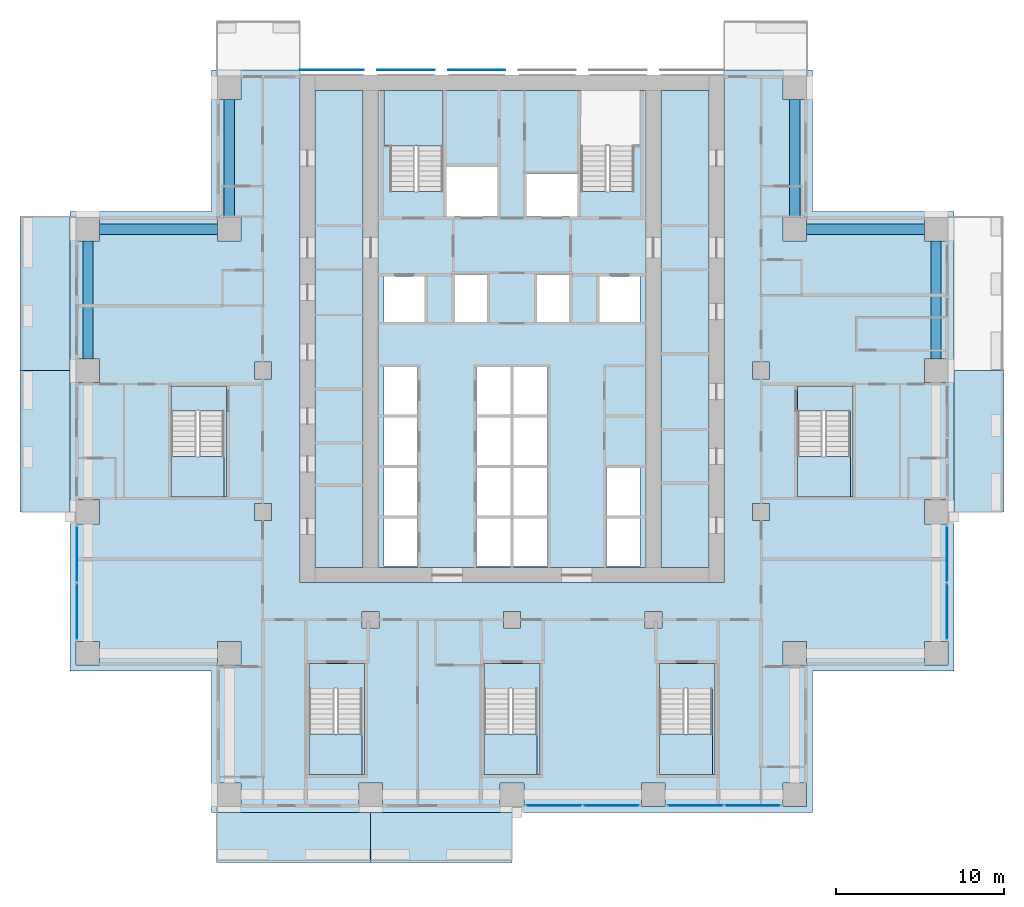
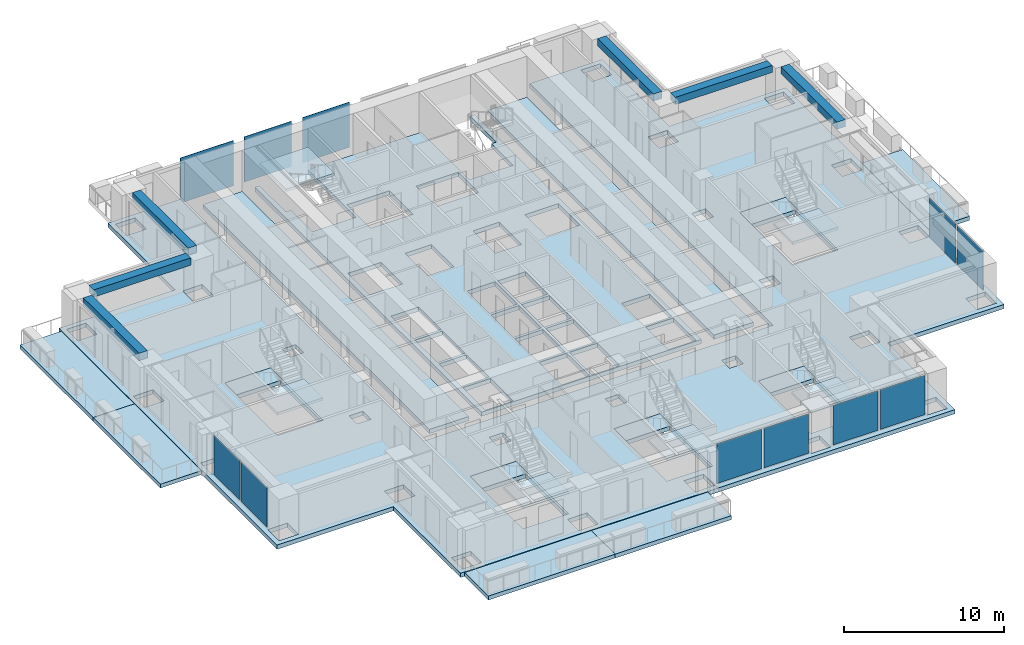
# One storey, part 5 of 17: 20 slabs, 11 plates, 6 beams, 10 elements without a shape of their own.
"""IFC4 building model written with IfcOpenShell, lengths in metres."""

from ifc_helpers import new_model, si_unit, direction, frame, origin, origin_2d, place, context, subcontext, project, spatial, polyline, rectangle, outline, extrude, material, layer, layer_set, material_profile, profile_set, type_object, element, aggregate, save


model = new_model("IFC4")

# Units and contexts
model_context = context("Model", 3, precision=1e-05, world=origin(), true_north=direction((0.0, 1.0)))
body_context = subcontext(model_context, "Body", "Model", "MODEL_VIEW")
ifc_project = project(units=[si_unit("LENGTHUNIT", "METRE"), si_unit("AREAUNIT", "SQUARE_METRE"), si_unit("VOLUMEUNIT", "CUBIC_METRE"), si_unit("PLANEANGLEUNIT", "RADIAN"), si_unit("MASSUNIT", "GRAM", prefix="KILO")], contexts=[model_context])

# Site, building, storey
site_placement = place(None, origin())
site = spatial("IfcSite", under=ifc_project, at=site_placement, CompositionType="ELEMENT")
building_placement = place(site_placement, origin())
building = spatial("IfcBuilding", under=site, at=building_placement, Name="Vermilion Ogive Tower", CompositionType="ELEMENT")
storey_placement = place(building_placement, frame((0.0, 0.0, 58.64990234375)))
storey = spatial("IfcBuildingStorey", under=building, at=storey_placement, Name="L13", CompositionType="ELEMENT", Elevation=58.64990234375)

# Beams
ifc_material_1 = material(Name="Concrete B45", Category="concrete")
ifc_material_profile = material_profile(ifc_material_1, rectangle(XDim=0.60009765625, YDim=0.550048828125, at=origin_2d()), Name="600 x 550")
ifc_profile_set = profile_set([ifc_material_profile], Name="Concrete B45")
beam_type = type_object("IfcBeamType", Name="Edge beam 600 x 550 B45", PredefinedType="BEAM", material=ifc_profile_set)
for number, where, z_axis, x_axis, name in (
    (1, (25.199951171875, 4.89990234375, 2.85498046875), (0.0, 1.0, 0.0), (-1.0, 0.0, 0.0), "L13-EB-9"),
    (2, (24.5, 12.60009765625, 2.85498046875), (-1.0, 0.0, 0.0), (0.0, -1.0, 0.0), "L13-EB-10"),
    (3, (16.800048828125, 13.300048828125, 2.85498046875), (0.0, 1.0, 0.0), (-1.0, 0.0, 0.0), "L13-EB-11"),
    (4, (-16.800048828125, 20.300048828125, 2.85498046875), (0.0, -1.0, 0.0), (1.0, 0.0, 0.0), "L13-EB-12"),
    (5, (-17.5, 12.60009765625, 2.85498046875), (-1.0, 0.0, 0.0), (0.0, -1.0, 0.0), "L13-EB-13"),
    (6, (-25.199951171875, 11.89990234375, 2.85498046875), (0.0, -1.0, 0.0), (1.0, 0.0, 0.0), "L13-EB-14"),
):
    element("IfcBeam", number, at=place(storey_placement, frame(where, z_axis=z_axis, x_axis=x_axis)), inside=storey, type_object=beam_type, Name=name, PredefinedType="BEAM", context=body_context, shape_type="SweptSolid", body=[
        extrude(rectangle(XDim=0.60009765625, YDim=0.550048828125, at=origin_2d()), origin(), (0.0, 0.0, 1.0), 7.0),
    ])

# Slabs
ifc_material_2 = material(Name="Concrete B40", Category="concrete")
ifc_layer_1 = layer(ifc_material_2, 0.300048828125)
ifc_layer_set_1 = layer_set([ifc_layer_1], Name="Balcony slab")
slab_type_1 = type_object("IfcSlabType", Name="Balcony slab", PredefinedType="FLOOR", material=ifc_layer_set_1)
slab_1_placement = place(storey_placement, frame((0.0, 0.0, -0.33984375)))
element("IfcSlab", 7, at=slab_1_placement, inside=storey, type_object=slab_type_1, Name="Balcony slab S01", PredefinedType="FLOOR", context=body_context, shape_type="SweptSolid", body=[
    extrude(outline(polyline([(-17.550048828125, -25.030029296875), (-8.39990234375, -25.030029296875), (-8.39990234375, -22.050048828125), (-17.550048828125, -22.050048828125), (-17.550048828125, -25.030029296875)])), origin(), (0.0, 0.0, 1.0), 0.300048828125),
])
slab_2_placement = place(storey_placement, frame((0.0, 0.0, -0.33984375)))
element("IfcSlab", 8, at=slab_2_placement, inside=storey, type_object=slab_type_1, Name="Balcony slab S02", PredefinedType="FLOOR", context=body_context, shape_type="SweptSolid", body=[
    extrude(outline(polyline([(-8.39990234375, -25.030029296875), (0.0, -25.030029296875), (0.0, -22.050048828125), (-8.39990234375, -22.050048828125), (-8.39990234375, -25.030029296875)])), origin(), (0.0, 0.0, 1.0), 0.300048828125),
])
slab_3_placement = place(storey_placement, frame((0.0, 0.0, -0.33984375)))
element("IfcSlab", 9, at=slab_3_placement, inside=storey, type_object=slab_type_1, Name="Balcony slab E02", PredefinedType="FLOOR", context=body_context, shape_type="SweptSolid", body=[
    extrude(outline(polyline([(29.22998046875, -4.199951171875), (29.22998046875, 4.199951171875), (26.25, 4.199951171875), (26.25, -4.199951171875), (29.22998046875, -4.199951171875)])), origin(), (0.0, 0.0, 1.0), 0.300048828125),
])
slab_4_placement = place(storey_placement, frame((0.0, 0.0, -0.33984375)))
element("IfcSlab", 10, at=slab_4_placement, inside=storey, type_object=slab_type_1, Name="Balcony slab W01", PredefinedType="FLOOR", context=body_context, shape_type="SweptSolid", body=[
    extrude(outline(polyline([(-29.22998046875, 13.35009765625), (-29.22998046875, 4.199951171875), (-26.25, 4.199951171875), (-26.25, 13.35009765625), (-29.22998046875, 13.35009765625)])), origin(), (0.0, 0.0, 1.0), 0.300048828125),
])
slab_5_placement = place(storey_placement, frame((0.0, 0.0, -0.33984375)))
element("IfcSlab", 11, at=slab_5_placement, inside=storey, type_object=slab_type_1, Name="Balcony slab W02", PredefinedType="FLOOR", context=body_context, shape_type="SweptSolid", body=[
    extrude(outline(polyline([(-29.22998046875, 4.199951171875), (-29.22998046875, -4.199951171875), (-26.25, -4.199951171875), (-26.25, 4.199951171875), (-29.22998046875, 4.199951171875)])), origin(), (0.0, 0.0, 1.0), 0.300048828125),
])

# Curtain wall, plates
ifc_material_3 = material(Name="Low-iron laminated glazing in aluminium frame", Category="aluminium")
curtain_wall_type = type_object("IfcCurtainWallType", Name="Curtain wall CW7", PredefinedType="NOTDEFINED", material=ifc_material_3)
curtain_wall_1_placement = place(storey_placement, origin())
curtain_wall_1 = element("IfcCurtainWall", 12, at=curtain_wall_1_placement, inside=storey, type_object=curtain_wall_type, Name="Glazed skin S3", PredefinedType="NOTDEFINED")
ifc_material_4 = material(Name="Low-iron laminated glazing in aluminium frame", Category="aluminium")
ifc_layer_2 = layer(ifc_material_4, 0.031982421875)
ifc_layer_set_2 = layer_set([ifc_layer_2], Name="CW7 glazing panel 32")
plate_type_1 = type_object("IfcPlateType", Name="CW7 glazing panel 32", PredefinedType="CURTAIN_PANEL", material=ifc_layer_set_2)
plate_1_placement = place(storey_placement, frame((2.4951171875, -21.64990234375, 0.06005859375), z_axis=(0.0, 0.0, 1.0), x_axis=(1.0, 0.0, 0.0)))
plate_1 = element("IfcPlate", 13, at=plate_1_placement, type_object=plate_type_1, Name="CW7-S3 panel 1.1", PredefinedType="CURTAIN_PANEL", context=body_context, shape_type="SweptSolid", body=[
    extrude(rectangle(XDim=3.22998046875, YDim=0.031982421875, at=origin_2d()), origin(), (0.0, 0.0, 1.0), 3.010009765625),
])
plate_2_placement = place(storey_placement, frame((5.905029296875, -21.64990234375, 0.06005859375), z_axis=(0.0, 0.0, 1.0), x_axis=(1.0, 0.0, 0.0)))
plate_2 = element("IfcPlate", 14, at=plate_2_placement, type_object=plate_type_1, Name="CW7-S3 panel 2.1", PredefinedType="CURTAIN_PANEL", context=body_context, shape_type="SweptSolid", body=[
    extrude(rectangle(XDim=3.22998046875, YDim=0.031982421875, at=origin_2d()), origin(), (0.0, 0.0, 1.0), 3.010009765625),
])
aggregate(curtain_wall_1, [plate_1, plate_2])

curtain_wall_2_placement = place(storey_placement, origin())
curtain_wall_2 = element("IfcCurtainWall", 15, at=curtain_wall_2_placement, inside=storey, type_object=curtain_wall_type, Name="Glazed skin S4", PredefinedType="NOTDEFINED")
plate_3_placement = place(storey_placement, frame((10.89501953125, -21.64990234375, 0.06005859375), z_axis=(0.0, 0.0, 1.0), x_axis=(1.0, 0.0, 0.0)))
plate_3 = element("IfcPlate", 16, at=plate_3_placement, type_object=plate_type_1, Name="CW7-S4 panel 1.1", PredefinedType="CURTAIN_PANEL", context=body_context, shape_type="SweptSolid", body=[
    extrude(rectangle(XDim=3.22998046875, YDim=0.031982421875, at=origin_2d()), origin(), (0.0, 0.0, 1.0), 3.010009765625),
])
plate_4_placement = place(storey_placement, frame((14.304931640625, -21.64990234375, 0.06005859375), z_axis=(0.0, 0.0, 1.0), x_axis=(1.0, 0.0, 0.0)))
plate_4 = element("IfcPlate", 17, at=plate_4_placement, type_object=plate_type_1, Name="CW7-S4 panel 2.1", PredefinedType="CURTAIN_PANEL", context=body_context, shape_type="SweptSolid", body=[
    extrude(rectangle(XDim=3.22998046875, YDim=0.031982421875, at=origin_2d()), origin(), (0.0, 0.0, 1.0), 3.010009765625),
])
aggregate(curtain_wall_2, [plate_3, plate_4])

curtain_wall_3_placement = place(storey_placement, origin())
curtain_wall_3 = element("IfcCurtainWall", 18, at=curtain_wall_3_placement, inside=storey, type_object=curtain_wall_type, Name="Glazed skin E1", PredefinedType="NOTDEFINED")
plate_5_placement = place(storey_placement, frame((25.85009765625, -10.10498046875, 0.06005859375), z_axis=(0.0, 0.0, 1.0), x_axis=(0.0, 1.0, 0.0)))
plate_5 = element("IfcPlate", 19, at=plate_5_placement, type_object=plate_type_1, Name="CW7-E1 panel 1.1", PredefinedType="CURTAIN_PANEL", context=body_context, shape_type="SweptSolid", body=[
    extrude(rectangle(XDim=3.22998046875, YDim=0.031982421875, at=origin_2d()), origin(), (0.0, 0.0, 1.0), 3.010009765625),
])
plate_6_placement = place(storey_placement, frame((25.85009765625, -6.695068359375, 0.06005859375), z_axis=(0.0, 0.0, 1.0), x_axis=(0.0, 1.0, 0.0)))
plate_6 = element("IfcPlate", 20, at=plate_6_placement, type_object=plate_type_1, Name="CW7-E1 panel 2.1", PredefinedType="CURTAIN_PANEL", context=body_context, shape_type="SweptSolid", body=[
    extrude(rectangle(XDim=3.22998046875, YDim=0.031982421875, at=origin_2d()), origin(), (0.0, 0.0, 1.0), 3.010009765625),
])
aggregate(curtain_wall_3, [plate_5, plate_6])

curtain_wall_4_placement = place(storey_placement, origin())
curtain_wall_4 = element("IfcCurtainWall", 21, at=curtain_wall_4_placement, inside=storey, type_object=curtain_wall_type, Name="Glazed skin W3", PredefinedType="NOTDEFINED")
plate_7_placement = place(storey_placement, frame((-25.85009765625, -6.695068359375, 0.06005859375), z_axis=(0.0, 0.0, 1.0), x_axis=(0.0, -1.0, 0.0)))
plate_7 = element("IfcPlate", 22, at=plate_7_placement, type_object=plate_type_1, Name="CW7-W3 panel 1.1", PredefinedType="CURTAIN_PANEL", context=body_context, shape_type="SweptSolid", body=[
    extrude(rectangle(XDim=3.22998046875, YDim=0.031982421875, at=origin_2d()), origin(), (0.0, 0.0, 1.0), 3.010009765625),
])
plate_8_placement = place(storey_placement, frame((-25.85009765625, -10.10498046875, 0.06005859375), z_axis=(0.0, 0.0, 1.0), x_axis=(0.0, -1.0, 0.0)))
plate_8 = element("IfcPlate", 23, at=plate_8_placement, type_object=plate_type_1, Name="CW7-W3 panel 2.1", PredefinedType="CURTAIN_PANEL", context=body_context, shape_type="SweptSolid", body=[
    extrude(rectangle(XDim=3.22998046875, YDim=0.031982421875, at=origin_2d()), origin(), (0.0, 0.0, 1.0), 3.010009765625),
])
aggregate(curtain_wall_4, [plate_7, plate_8])

# Slabs
ifc_material_5 = material(Name="Concrete B40", Category="concrete")
ifc_layer_3 = layer(ifc_material_5, 0.320068359375)
ifc_layer_set_3 = layer_set([ifc_layer_3], Name="Core floor slab 320 B40")
slab_type_2 = type_object("IfcSlabType", Name="Core floor slab 320 B40", PredefinedType="FLOOR", material=ifc_layer_set_3)
slab_6_placement = place(storey_placement, frame((0.0, 0.0, -0.31982421875)))
element("IfcSlab", 24, at=slab_6_placement, inside=storey, type_object=slab_type_2, Name="L13-CK-FS1", PredefinedType="FLOOR", context=body_context, shape_type="SweptSolid", body=[
    extrude(outline(polyline([(-8.85400390625, -7.49609375), (-11.696044921875, -7.49609375), (-11.696044921875, 20.845947265625), (-8.85400390625, 20.845947265625), (-8.85400390625, -7.49609375)])), origin(), (0.0, 0.0, 1.0), 0.31982421875),
])
slab_7_placement = place(storey_placement, frame((0.0, 0.0, -0.31982421875)))
element("IfcSlab", 25, at=slab_7_placement, inside=storey, type_object=slab_type_2, Name="L13-CK-FS2", PredefinedType="FLOOR", context=body_context, shape_type="SweptSolid", body=[
    extrude(outline(polyline([(5.75, 14.85009765625), (5.60009765625, 14.85009765625), (5.60009765625, 14.85205078125), (4.10009765625, 14.85205078125), (4.10009765625, 17.550048828125), (4.074951171875, 17.550048828125), (4.074951171875, 20.845947265625), (-4.10009765625, 20.845947265625), (-4.10009765625, 14.85205078125), (-5.60009765625, 14.85205078125), (-5.60009765625, 14.85009765625), (-5.75, 14.85009765625), (-5.75, 14.85205078125), (-7.25, 14.85205078125), (-7.25, 17.550048828125), (-7.60009765625, 17.550048828125), (-7.60009765625, 20.845947265625), (-7.946044921875, 20.845947265625), (-7.946044921875, -7.49609375), (7.946044921875, -7.49609375), (7.946044921875, 20.845947265625), (7.60009765625, 20.845947265625), (7.60009765625, 17.550048828125), (7.25, 17.550048828125), (7.25, 14.85205078125), (5.75, 14.85205078125), (5.75, 14.85009765625)]), holes=[polyline([(-7.60009765625, -4.60009765625), (-5.60009765625, -4.60009765625), (-5.60009765625, -7.39990234375), (-7.60009765625, -7.39990234375), (-7.60009765625, -4.60009765625)]), polyline([(-2.10009765625, -4.60009765625), (-0.10009765625, -4.60009765625), (-0.10009765625, -7.39990234375), (-2.10009765625, -7.39990234375), (-2.10009765625, -4.60009765625)]), polyline([(-7.60009765625, -4.39990234375), (-7.60009765625, -1.60009765625), (-5.60009765625, -1.60009765625), (-5.60009765625, -4.39990234375), (-7.60009765625, -4.39990234375)]), polyline([(-2.10009765625, -1.60009765625), (-0.10009765625, -1.60009765625), (-0.10009765625, -4.39990234375), (-2.10009765625, -4.39990234375), (-2.10009765625, -1.60009765625)]), polyline([(-7.60009765625, -1.39990234375), (-7.60009765625, 1.39990234375), (-5.60009765625, 1.39990234375), (-5.60009765625, -1.39990234375), (-7.60009765625, -1.39990234375)]), polyline([(-2.10009765625, 1.39990234375), (-0.10009765625, 1.39990234375), (-0.10009765625, -1.39990234375), (-2.10009765625, -1.39990234375), (-2.10009765625, 1.39990234375)]), polyline([(-7.60009765625, 4.39990234375), (-5.60009765625, 4.39990234375), (-5.60009765625, 1.60009765625), (-7.60009765625, 1.60009765625), (-7.60009765625, 4.39990234375)]), polyline([(-2.10009765625, 4.39990234375), (-0.10009765625, 4.39990234375), (-0.10009765625, 1.60009765625), (-2.10009765625, 1.60009765625), (-2.10009765625, 4.39990234375)]), polyline([(-7.60009765625, 9.800048828125), (-5.199951171875, 9.800048828125), (-5.199951171875, 7.10009765625), (-7.60009765625, 7.10009765625), (-7.60009765625, 9.800048828125)]), polyline([(-3.39990234375, 9.89990234375), (-1.5, 9.89990234375), (-1.5, 7.10009765625), (-3.39990234375, 7.10009765625), (-3.39990234375, 9.89990234375)]), polyline([(-3.89990234375, 16.300048828125), (-0.85009765625, 16.300048828125), (-0.85009765625, 13.35009765625), (-3.89990234375, 13.35009765625), (-3.89990234375, 16.300048828125)]), polyline([(0.10009765625, -4.60009765625), (2.10009765625, -4.60009765625), (2.10009765625, -7.39990234375), (0.10009765625, -7.39990234375), (0.10009765625, -4.60009765625)]), polyline([(5.60009765625, -4.60009765625), (7.60009765625, -4.60009765625), (7.60009765625, -7.39990234375), (5.60009765625, -7.39990234375), (5.60009765625, -4.60009765625)]), polyline([(0.10009765625, -1.60009765625), (2.10009765625, -1.60009765625), (2.10009765625, -4.39990234375), (0.10009765625, -4.39990234375), (0.10009765625, -1.60009765625)]), polyline([(5.60009765625, -1.60009765625), (7.60009765625, -1.60009765625), (7.60009765625, -4.39990234375), (5.60009765625, -4.39990234375), (5.60009765625, -1.60009765625)]), polyline([(0.10009765625, 1.39990234375), (2.10009765625, 1.39990234375), (2.10009765625, -1.39990234375), (0.10009765625, -1.39990234375), (0.10009765625, 1.39990234375)]), polyline([(0.10009765625, 4.39990234375), (2.10009765625, 4.39990234375), (2.10009765625, 1.60009765625), (0.10009765625, 1.60009765625), (0.10009765625, 4.39990234375)]), polyline([(5.199951171875, 9.800048828125), (7.60009765625, 9.800048828125), (7.60009765625, 7.10009765625), (5.199951171875, 7.10009765625), (5.199951171875, 9.800048828125)]), polyline([(1.5, 9.89990234375), (3.39990234375, 9.89990234375), (3.39990234375, 7.10009765625), (1.5, 7.10009765625), (1.5, 9.89990234375)]), polyline([(0.85009765625, 15.89990234375), (3.89990234375, 15.89990234375), (3.89990234375, 13.35009765625), (0.85009765625, 13.35009765625), (0.85009765625, 15.89990234375)])]), origin(), (0.0, 0.0, 1.0), 0.31982421875),
])
slab_8_placement = place(storey_placement, frame((0.0, 0.0, -0.31982421875)))
element("IfcSlab", 26, at=slab_8_placement, inside=storey, type_object=slab_type_2, Name="L13-CK-FS3", PredefinedType="FLOOR", context=body_context, shape_type="SweptSolid", body=[
    extrude(outline(polyline([(8.85400390625, 20.845947265625), (11.696044921875, 20.845947265625), (11.696044921875, -7.49609375), (8.85400390625, -7.49609375), (8.85400390625, 20.845947265625)])), origin(), (0.0, 0.0, 1.0), 0.31982421875),
])
slab_9_placement = place(storey_placement, frame((0.0, 0.0, -0.31982421875)))
element("IfcSlab", 27, at=slab_9_placement, inside=storey, type_object=slab_type_2, Name="L13-SF-ST3-1", PredefinedType="FLOOR", context=body_context, shape_type="SweptSolid", body=[
    extrude(outline(polyline([(-12.050048828125, -13.199951171875), (-12.050048828125, -14.701904296875), (-10.550048828125, -14.701904296875), (-10.550048828125, -14.699951171875), (-10.39990234375, -14.699951171875), (-10.39990234375, -14.701904296875), (-8.89990234375, -14.701904296875), (-8.89990234375, -19.800048828125), (-8.75, -19.800048828125), (-8.75, -13.199951171875), (-12.050048828125, -13.199951171875)])), origin(), (0.0, 0.0, 1.0), 0.31982421875),
])
slab_10_placement = place(storey_placement, frame((0.0, 0.0, -0.31982421875)))
element("IfcSlab", 28, at=slab_10_placement, inside=storey, type_object=slab_type_2, Name="L13-SF-ST4-1", PredefinedType="FLOOR", context=body_context, shape_type="SweptSolid", body=[
    extrude(outline(polyline([(-1.64990234375, -13.199951171875), (-1.64990234375, -14.701904296875), (-0.14990234375, -14.701904296875), (-0.14990234375, -14.699951171875), (0.0, -14.699951171875), (0.0, -14.701904296875), (1.5, -14.701904296875), (1.5, -19.800048828125), (1.64990234375, -19.800048828125), (1.64990234375, -13.199951171875), (-1.64990234375, -13.199951171875)])), origin(), (0.0, 0.0, 1.0), 0.31982421875),
])
slab_11_placement = place(storey_placement, frame((0.0, 0.0, -0.31982421875)))
element("IfcSlab", 29, at=slab_11_placement, inside=storey, type_object=slab_type_2, Name="L13-SF-ST5-1", PredefinedType="FLOOR", context=body_context, shape_type="SweptSolid", body=[
    extrude(outline(polyline([(8.75, -13.199951171875), (8.75, -14.701904296875), (10.25, -14.701904296875), (10.25, -14.699951171875), (10.39990234375, -14.699951171875), (10.39990234375, -14.701904296875), (11.89990234375, -14.701904296875), (11.89990234375, -19.800048828125), (12.050048828125, -19.800048828125), (12.050048828125, -13.199951171875), (8.75, -13.199951171875)])), origin(), (0.0, 0.0, 1.0), 0.31982421875),
])
slab_12_placement = place(storey_placement, frame((0.0, 0.0, -0.31982421875)))
element("IfcSlab", 30, at=slab_12_placement, inside=storey, type_object=slab_type_2, Name="L13-SF-ST8-1", PredefinedType="FLOOR", context=body_context, shape_type="SweptSolid", body=[
    extrude(outline(polyline([(16.949951171875, 3.300048828125), (16.949951171875, 1.798095703125), (18.449951171875, 1.798095703125), (18.449951171875, 1.800048828125), (18.60009765625, 1.800048828125), (18.60009765625, 1.798095703125), (20.10009765625, 1.798095703125), (20.10009765625, -3.300048828125), (20.25, -3.300048828125), (20.25, 3.300048828125), (16.949951171875, 3.300048828125)])), origin(), (0.0, 0.0, 1.0), 0.31982421875),
])
slab_13_placement = place(storey_placement, frame((0.0, 0.0, -0.31982421875)))
element("IfcSlab", 31, at=slab_13_placement, inside=storey, type_object=slab_type_2, Name="L13-SF-ST9-1", PredefinedType="FLOOR", context=body_context, shape_type="SweptSolid", body=[
    extrude(outline(polyline([(-20.25, 3.300048828125), (-20.25, 1.798095703125), (-18.75, 1.798095703125), (-18.75, 1.800048828125), (-18.60009765625, 1.800048828125), (-18.60009765625, 1.798095703125), (-17.10009765625, 1.798095703125), (-17.10009765625, -3.300048828125), (-16.949951171875, -3.300048828125), (-16.949951171875, 3.300048828125), (-20.25, 3.300048828125)])), origin(), (0.0, 0.0, 1.0), 0.31982421875),
])

# Plates
ifc_material_6 = material(Name="Low-iron laminated glazing in aluminium frame", Category="aluminium")
ifc_layer_4 = layer(ifc_material_6, 0.031982421875)
ifc_layer_set_4 = layer_set([ifc_layer_4], Name="Glazed rainscreen sheet 32")
plate_type_2 = type_object("IfcPlateType", Name="Glazed rainscreen sheet 32", PredefinedType="SHEET", material=ifc_layer_set_4)
plate_9_placement = place(storey_placement, frame((-10.7099609375, 22.06591796875, -0.31982421875), z_axis=(0.0, 0.0, 1.0), x_axis=(1.0, 0.0, 0.0)))
element("IfcPlate", 32, at=plate_9_placement, inside=storey, type_object=plate_type_2, Name="Glazed rainscreen sheet N1", PredefinedType="SHEET", context=body_context, shape_type="SweptSolid", body=[
    extrude(rectangle(XDim=3.820068359375, YDim=0.031982421875, at=origin_2d()), origin(), (0.0, 0.0, 1.0), 3.449951171875),
])
for number, where, z_axis, x_axis, name in (
    (33, (-6.300048828125, 22.06591796875, -0.31982421875), (0.0, 0.0, 1.0), (1.0, 0.0, 0.0), "Glazed rainscreen sheet N2"),
    (34, (-2.10009765625, 22.06591796875, -0.31982421875), (0.0, 0.0, 1.0), (1.0, 0.0, 0.0), "Glazed rainscreen sheet N3"),
):
    element("IfcPlate", number, at=place(storey_placement, frame(where, z_axis=z_axis, x_axis=x_axis)), inside=storey, type_object=plate_type_2, Name=name, PredefinedType="SHEET", context=body_context, shape_type="SweptSolid", body=[
        extrude(rectangle(XDim=3.39990234375, YDim=0.031982421875, at=origin_2d()), origin(), (0.0, 0.0, 1.0), 3.449951171875),
    ])

# Slab
ifc_material_7 = material(Name="Concrete B45", Category="concrete")
ifc_layer_5 = layer(ifc_material_7, 0.320068359375)
ifc_layer_set_5 = layer_set([ifc_layer_5], Name="Post-tensioned flat plate 320 B45")
slab_type_3 = type_object("IfcSlabType", Name="Post-tensioned flat plate 320 B45", PredefinedType="FLOOR", material=ifc_layer_set_5)
slab_14_placement = place(storey_placement, frame((0.0, 0.0, -0.31982421875)))
element("IfcSlab", 35, at=slab_14_placement, inside=storey, type_object=slab_type_3, Name="L13-SL-1", PredefinedType="FLOOR", context=body_context, shape_type="SweptSolid", body=[
    extrude(outline(polyline([(-17.85009765625, -13.64990234375), (-26.25, -13.64990234375), (-26.25, 13.64990234375), (-17.85009765625, 13.64990234375), (-17.85009765625, 22.050048828125), (-12.60009765625, 22.050048828125), (-12.60009765625, -8.39990234375), (12.60009765625, -8.39990234375), (12.60009765625, 22.050048828125), (17.85009765625, 22.050048828125), (17.85009765625, 13.64990234375), (26.25, 13.64990234375), (26.25, -13.64990234375), (17.85009765625, -13.64990234375), (17.85009765625, -22.050048828125), (-17.85009765625, -22.050048828125), (-17.85009765625, -13.64990234375)]), holes=[polyline([(25.89990234375, -4.89990234375), (25.89990234375, -3.5), (24.5, -3.5), (24.5, -4.89990234375), (25.89990234375, -4.89990234375)]), polyline([(25.89990234375, -13.300048828125), (25.89990234375, -11.89990234375), (24.5, -11.89990234375), (24.5, -13.300048828125), (25.89990234375, -13.300048828125)]), polyline([(24.5, 11.89990234375), (25.89990234375, 11.89990234375), (25.89990234375, 13.300048828125), (24.5, 13.300048828125), (24.5, 11.89990234375)]), polyline([(24.5, 3.5), (25.89990234375, 3.5), (25.89990234375, 4.89990234375), (24.5, 4.89990234375), (24.5, 3.5)]), polyline([(20.25, -3.300048828125), (20.25, 3.300048828125), (16.949951171875, 3.300048828125), (16.949951171875, -3.300048828125), (20.25, -3.300048828125)]), polyline([(17.5, -13.300048828125), (17.5, -11.89990234375), (16.10009765625, -11.89990234375), (16.10009765625, -13.300048828125), (17.5, -13.300048828125)]), polyline([(16.10009765625, 20.300048828125), (17.5, 20.300048828125), (17.5, 21.699951171875), (16.10009765625, 21.699951171875), (16.10009765625, 20.300048828125)]), polyline([(17.5, -21.699951171875), (17.5, -20.300048828125), (16.10009765625, -20.300048828125), (16.10009765625, -21.699951171875), (17.5, -21.699951171875)]), polyline([(17.5, 11.89990234375), (17.5, 13.300048828125), (16.10009765625, 13.300048828125), (16.10009765625, 11.89990234375), (17.5, 11.89990234375)]), polyline([(15.300048828125, 3.699951171875), (15.300048828125, 4.699951171875), (14.300048828125, 4.699951171875), (14.300048828125, 3.699951171875), (15.300048828125, 3.699951171875)]), polyline([(14.300048828125, -4.699951171875), (15.300048828125, -4.699951171875), (15.300048828125, -3.699951171875), (14.300048828125, -3.699951171875), (14.300048828125, -4.699951171875)]), polyline([(12.050048828125, -19.800048828125), (12.050048828125, -13.199951171875), (8.75, -13.199951171875), (8.75, -19.800048828125), (12.050048828125, -19.800048828125)]), polyline([(9.10009765625, -21.699951171875), (9.10009765625, -20.300048828125), (7.699951171875, -20.300048828125), (7.699951171875, -21.699951171875), (9.10009765625, -21.699951171875)]), polyline([(7.89990234375, -11.10009765625), (8.89990234375, -11.10009765625), (8.89990234375, -10.10009765625), (7.89990234375, -10.10009765625), (7.89990234375, -11.10009765625)]), polyline([(1.64990234375, -19.800048828125), (1.64990234375, -13.199951171875), (-1.64990234375, -13.199951171875), (-1.64990234375, -19.800048828125), (1.64990234375, -19.800048828125)]), polyline([(0.699951171875, -21.699951171875), (0.699951171875, -20.300048828125), (-0.699951171875, -20.300048828125), (-0.699951171875, -21.699951171875), (0.699951171875, -21.699951171875)]), polyline([(0.5, -11.10009765625), (0.5, -10.10009765625), (-0.5, -10.10009765625), (-0.5, -11.10009765625), (0.5, -11.10009765625)]), polyline([(-7.699951171875, -21.699951171875), (-7.699951171875, -20.300048828125), (-9.10009765625, -20.300048828125), (-9.10009765625, -21.699951171875), (-7.699951171875, -21.699951171875)]), polyline([(-7.89990234375, -11.10009765625), (-7.89990234375, -10.10009765625), (-8.89990234375, -10.10009765625), (-8.89990234375, -11.10009765625), (-7.89990234375, -11.10009765625)]), polyline([(-8.75, -19.800048828125), (-8.75, -13.199951171875), (-12.050048828125, -13.199951171875), (-12.050048828125, -19.800048828125), (-8.75, -19.800048828125)]), polyline([(-14.300048828125, 3.699951171875), (-14.300048828125, 4.699951171875), (-15.300048828125, 4.699951171875), (-15.300048828125, 3.699951171875), (-14.300048828125, 3.699951171875)]), polyline([(-15.300048828125, -4.699951171875), (-14.300048828125, -4.699951171875), (-14.300048828125, -3.699951171875), (-15.300048828125, -3.699951171875), (-15.300048828125, -4.699951171875)]), polyline([(-16.10009765625, 11.89990234375), (-16.10009765625, 13.300048828125), (-17.5, 13.300048828125), (-17.5, 11.89990234375), (-16.10009765625, 11.89990234375)]), polyline([(-16.10009765625, -13.300048828125), (-16.10009765625, -11.89990234375), (-17.5, -11.89990234375), (-17.5, -13.300048828125), (-16.10009765625, -13.300048828125)]), polyline([(-16.10009765625, -21.699951171875), (-16.10009765625, -20.300048828125), (-17.5, -20.300048828125), (-17.5, -21.699951171875), (-16.10009765625, -21.699951171875)]), polyline([(-17.5, 20.300048828125), (-16.10009765625, 20.300048828125), (-16.10009765625, 21.699951171875), (-17.5, 21.699951171875), (-17.5, 20.300048828125)]), polyline([(-16.949951171875, -3.300048828125), (-16.949951171875, 3.300048828125), (-20.25, 3.300048828125), (-20.25, -3.300048828125), (-16.949951171875, -3.300048828125)]), polyline([(-25.89990234375, 3.5), (-24.5, 3.5), (-24.5, 4.89990234375), (-25.89990234375, 4.89990234375), (-25.89990234375, 3.5)]), polyline([(-24.5, 11.89990234375), (-24.5, 13.300048828125), (-25.89990234375, 13.300048828125), (-25.89990234375, 11.89990234375), (-24.5, 11.89990234375)]), polyline([(-24.5, -4.89990234375), (-24.5, -3.5), (-25.89990234375, -3.5), (-25.89990234375, -4.89990234375), (-24.5, -4.89990234375)]), polyline([(-24.5, -13.300048828125), (-24.5, -11.89990234375), (-25.89990234375, -11.89990234375), (-25.89990234375, -13.300048828125), (-24.5, -13.300048828125)])]), origin(), (0.0, 0.0, 1.0), 0.31982421875),
])

# Stair, slab
ifc_material_8 = material(Name="Concrete B40", Category="concrete")
stair_type = type_object("IfcStairType", Name="Exit stair 1500", PredefinedType="HALF_TURN_STAIR", material=ifc_material_8)
stair_1_placement = place(storey_placement, origin())
stair_1 = element("IfcStair", 36, at=stair_1_placement, inside=storey, type_object=stair_type, Name="L13 Exit Stair ST1", PredefinedType="HALF_TURN_STAIR")
ifc_material_9 = material(Name="Concrete B40", Category="concrete")
ifc_layer_6 = layer(ifc_material_9, 0.199951171875)
ifc_layer_set_6 = layer_set([ifc_layer_6], Name="Stair landing 200")
slab_type_4 = type_object("IfcSlabType", Name="Stair landing 200", PredefinedType="LANDING", material=ifc_layer_set_6)
slab_15_placement = place(storey_placement, frame((0.0, 0.0, 1.525146484375)))
slab_15 = element("IfcSlab", 37, at=slab_15_placement, type_object=slab_type_4, Name="ST1 landing 1", PredefinedType="LANDING", context=body_context, shape_type="SweptSolid", body=[
    extrude(outline(polyline([(-7.60009765625, 17.550048828125), (-7.25, 17.550048828125), (-7.25, 17.548095703125), (-5.75, 17.548095703125), (-5.75, 17.550048828125), (-5.60009765625, 17.550048828125), (-5.60009765625, 17.548095703125), (-4.10009765625, 17.548095703125), (-4.10009765625, 20.85009765625), (-7.60009765625, 20.85009765625), (-7.60009765625, 17.550048828125)])), origin(), (0.0, 0.0, 1.0), 0.199951171875),
])
aggregate(stair_1, [slab_15])

stair_2_placement = place(storey_placement, origin())
stair_2 = element("IfcStair", 38, at=stair_2_placement, inside=storey, type_object=stair_type, Name="L13 Exit Stair ST3", PredefinedType="HALF_TURN_STAIR")
slab_16_placement = place(storey_placement, frame((0.0, 0.0, 1.525146484375)))
slab_16 = element("IfcSlab", 39, at=slab_16_placement, type_object=slab_type_4, Name="ST3 landing 1", PredefinedType="LANDING", context=body_context, shape_type="SweptSolid", body=[
    extrude(outline(polyline([(-8.75, -17.39990234375), (-8.89990234375, -17.39990234375), (-8.89990234375, -17.39794921875), (-10.39990234375, -17.39794921875), (-10.39990234375, -17.39990234375), (-10.550048828125, -17.39990234375), (-10.550048828125, -17.39794921875), (-12.050048828125, -17.39794921875), (-12.050048828125, -17.402099609375), (-12.0498046875, -17.402099609375), (-12.0498046875, -19.7998046875), (-8.75, -19.7998046875), (-8.75, -17.39990234375)])), origin(), (0.0, 0.0, 1.0), 0.199951171875),
])
aggregate(stair_2, [slab_16])

stair_3_placement = place(storey_placement, origin())
stair_3 = element("IfcStair", 40, at=stair_3_placement, inside=storey, type_object=stair_type, Name="L13 Exit Stair ST4", PredefinedType="HALF_TURN_STAIR")
slab_17_placement = place(storey_placement, frame((0.0, 0.0, 1.525146484375)))
slab_17 = element("IfcSlab", 41, at=slab_17_placement, type_object=slab_type_4, Name="ST4 landing 1", PredefinedType="LANDING", context=body_context, shape_type="SweptSolid", body=[
    extrude(outline(polyline([(1.64990234375, -17.39990234375), (1.5, -17.39990234375), (1.5, -17.39794921875), (0.0, -17.39794921875), (0.0, -17.39990234375), (-0.14990234375, -17.39990234375), (-0.14990234375, -17.39794921875), (-1.64990234375, -17.39794921875), (-1.64990234375, -19.7998046875), (1.64990234375, -19.7998046875), (1.64990234375, -17.39990234375)])), origin(), (0.0, 0.0, 1.0), 0.199951171875),
])
aggregate(stair_3, [slab_17])

stair_4_placement = place(storey_placement, origin())
stair_4 = element("IfcStair", 42, at=stair_4_placement, inside=storey, type_object=stair_type, Name="L13 Exit Stair ST5", PredefinedType="HALF_TURN_STAIR")
slab_18_placement = place(storey_placement, frame((0.0, 0.0, 1.525146484375)))
slab_18 = element("IfcSlab", 43, at=slab_18_placement, type_object=slab_type_4, Name="ST5 landing 1", PredefinedType="LANDING", context=body_context, shape_type="SweptSolid", body=[
    extrude(outline(polyline([(12.0498046875, -17.39990234375), (11.89990234375, -17.39990234375), (11.89990234375, -17.39794921875), (10.39990234375, -17.39794921875), (10.39990234375, -17.39990234375), (10.25, -17.39990234375), (10.25, -17.39794921875), (8.75, -17.39794921875), (8.75, -17.39990234375), (8.75, -17.39990234375), (8.75, -19.7998046875), (12.0498046875, -19.7998046875), (12.0498046875, -17.39990234375)])), origin(), (0.0, 0.0, 1.0), 0.199951171875),
])
aggregate(stair_4, [slab_18])

stair_5_placement = place(storey_placement, origin())
stair_5 = element("IfcStair", 44, at=stair_5_placement, inside=storey, type_object=stair_type, Name="L13 Exit Stair ST8", PredefinedType="HALF_TURN_STAIR")
slab_19_placement = place(storey_placement, frame((0.0, 0.0, 1.525146484375)))
slab_19 = element("IfcSlab", 45, at=slab_19_placement, type_object=slab_type_4, Name="ST8 landing 1", PredefinedType="LANDING", context=body_context, shape_type="SweptSolid", body=[
    extrude(outline(polyline([(20.25, -0.89990234375), (20.10009765625, -0.89990234375), (20.10009765625, -0.89794921875), (18.60009765625, -0.89794921875), (18.60009765625, -0.89990234375), (18.449951171875, -0.89990234375), (18.449951171875, -0.89794921875), (16.949951171875, -0.89794921875), (16.949951171875, -0.902099609375), (16.9501953125, -0.902099609375), (16.9501953125, -3.2998046875), (20.25, -3.2998046875), (20.25, -0.89990234375)])), origin(), (0.0, 0.0, 1.0), 0.199951171875),
])
aggregate(stair_5, [slab_19])

stair_6_placement = place(storey_placement, origin())
stair_6 = element("IfcStair", 46, at=stair_6_placement, inside=storey, type_object=stair_type, Name="L13 Exit Stair ST9", PredefinedType="HALF_TURN_STAIR")
slab_20_placement = place(storey_placement, frame((0.0, 0.0, 1.525146484375)))
slab_20 = element("IfcSlab", 47, at=slab_20_placement, type_object=slab_type_4, Name="ST9 landing 1", PredefinedType="LANDING", context=body_context, shape_type="SweptSolid", body=[
    extrude(outline(polyline([(-16.9501953125, -0.89990234375), (-17.10009765625, -0.89990234375), (-17.10009765625, -0.89794921875), (-18.60009765625, -0.89794921875), (-18.60009765625, -0.89990234375), (-18.75, -0.89990234375), (-18.75, -0.89794921875), (-20.25, -0.89794921875), (-20.25, -0.89990234375), (-20.25, -0.89990234375), (-20.25, -3.2998046875), (-16.9501953125, -3.2998046875), (-16.9501953125, -0.89990234375)])), origin(), (0.0, 0.0, 1.0), 0.199951171875),
])
aggregate(stair_6, [slab_20])

save(model, "model.ifc")
